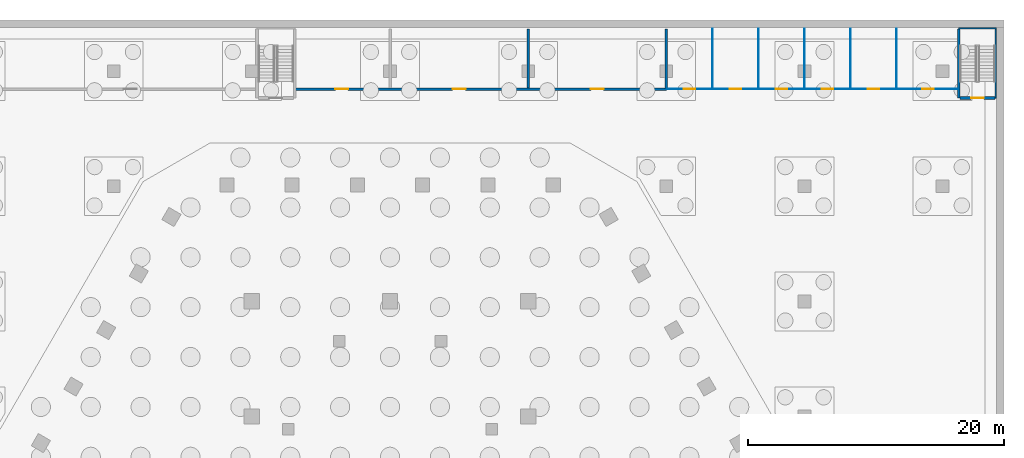
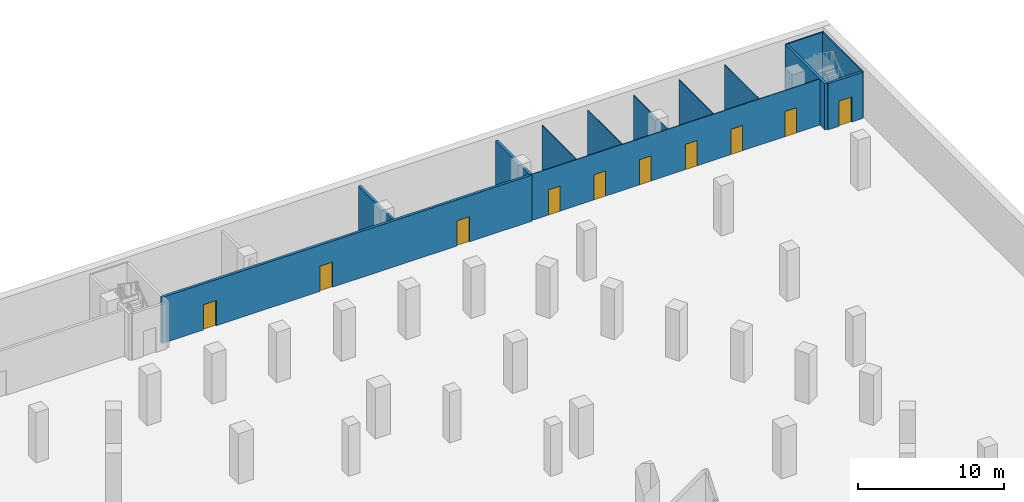
# One storey, part 11 of 21: 13 walls, 10 doors, 10 openings.
"""IFC4 building model written with IfcOpenShell, lengths in metres."""

from ifc_helpers import new_model, si_unit, direction, frame, frame_2d, origin, place, context, subcontext, project, spatial, rectangle, extrude, material, layer, layer_set, type_object, element, fill, save


model = new_model("IFC4")

# Units and contexts
model_context = context("Model", 3, precision=1e-05, world=origin(), true_north=direction((0.0, 1.0)))
body_context = subcontext(model_context, "Body", "Model", "MODEL_VIEW")
ifc_project = project(units=[si_unit("LENGTHUNIT", "METRE"), si_unit("AREAUNIT", "SQUARE_METRE"), si_unit("VOLUMEUNIT", "CUBIC_METRE"), si_unit("PLANEANGLEUNIT", "RADIAN"), si_unit("MASSUNIT", "GRAM", prefix="KILO")], contexts=[model_context])

# Site, building, storey
site_placement = place(None, origin())
site = spatial("IfcSite", under=ifc_project, at=site_placement, CompositionType="ELEMENT")
building_placement = place(site_placement, origin())
building = spatial("IfcBuilding", under=site, at=building_placement, Name="Beryl Residences", CompositionType="ELEMENT")
storey_placement = place(building_placement, frame((0.0, 0.0, -8.39990234375)))
storey = spatial("IfcBuildingStorey", under=building, at=storey_placement, Name="B2", CompositionType="ELEMENT", Elevation=-8.39990234375)

# Wall, openings, doors
ifc_material_1 = material(Name="Gypsum board partition on steel studs", Category="steel")
ifc_layer_1 = layer(ifc_material_1, 0.050048828125)
ifc_layer_set_1 = layer_set([ifc_layer_1], Name="PT1-50 partition 50 mm")
wall_type_1 = type_object("IfcWallType", Name="PT1-50 partition 50 mm", PredefinedType="PARTITIONING", material=ifc_layer_set_1)
wall_1_placement = place(storey_placement, frame((21.60009765625, 34.60009765625, 0.0), z_axis=(0.0, 0.0, 1.0), x_axis=(1.0, 0.0, 0.0)))
wall_1 = element("IfcWall", 1, at=wall_1_placement, inside=storey, type_object=wall_type_1, Name="Wall PT1-50 B2 001", PredefinedType="PARTITIONING", context=body_context, shape_type="SweptSolid", body=[
    extrude(rectangle(XDim=22.849853515625, YDim=0.050048828125, at=frame_2d((11.4248046875, 0.0))), origin(), (0.0, 0.0, 1.0), 3.849853515625),
])
opening_1_placement = place(wall_1_placement, frame((2.25, 0.0, 0.0), z_axis=(0.0, 0.0, 1.0), x_axis=(-1.0, 0.0, 0.0)))
opening_1 = element("IfcOpeningElement", 2, at=opening_1_placement, cuts=wall_1, Name="Opening B2-13", PredefinedType="OPENING", context=body_context, shape_type="SweptSolid", body=[
    extrude(rectangle(XDim=0.89990234375, YDim=2.10009765625, at=frame_2d((0.449951171875, 1.050048828125))), frame((0.0, 0.034912109375, 0.0), z_axis=(0.0, -1.0, 0.0), x_axis=(1.0, 0.0, 0.0)), (0.0, 0.0, 1.0), 0.070068359375),
])
opening_2_placement = place(wall_1_placement, frame((5.849853515625, 0.0, 0.0), z_axis=(0.0, 0.0, 1.0), x_axis=(-1.0, 0.0, 0.0)))
opening_2 = element("IfcOpeningElement", 3, at=opening_2_placement, cuts=wall_1, Name="Opening B2-14", PredefinedType="OPENING", context=body_context, shape_type="SweptSolid", body=[
    extrude(rectangle(XDim=0.89990234375, YDim=2.10009765625, at=frame_2d((0.449951171875, 1.050048828125))), frame((0.0, 0.034912109375, 0.0), z_axis=(0.0, -1.0, 0.0), x_axis=(1.0, 0.0, 0.0)), (0.0, 0.0, 1.0), 0.070068359375),
])
opening_3_placement = place(wall_1_placement, frame((9.449951171875, 0.0, 0.0), z_axis=(0.0, 0.0, 1.0), x_axis=(-1.0, 0.0, 0.0)))
opening_3 = element("IfcOpeningElement", 4, at=opening_3_placement, cuts=wall_1, Name="Opening B2-15", PredefinedType="OPENING", context=body_context, shape_type="SweptSolid", body=[
    extrude(rectangle(XDim=0.89990234375, YDim=2.10009765625, at=frame_2d((0.449951171875, 1.050048828125))), frame((0.0, 0.034912109375, 0.0), z_axis=(0.0, -1.0, 0.0), x_axis=(1.0, 0.0, 0.0)), (0.0, 0.0, 1.0), 0.070068359375),
])
opening_4_placement = place(wall_1_placement, frame((13.0498046875, 0.0, 0.0), z_axis=(0.0, 0.0, 1.0), x_axis=(-1.0, 0.0, 0.0)))
opening_4 = element("IfcOpeningElement", 5, at=opening_4_placement, cuts=wall_1, Name="Opening B2-16", PredefinedType="OPENING", context=body_context, shape_type="SweptSolid", body=[
    extrude(rectangle(XDim=0.89990234375, YDim=2.10009765625, at=frame_2d((0.449951171875, 1.050048828125))), frame((0.0, 0.034912109375, 0.0), z_axis=(0.0, -1.0, 0.0), x_axis=(1.0, 0.0, 0.0)), (0.0, 0.0, 1.0), 0.070068359375),
])
opening_5_placement = place(wall_1_placement, frame((16.64990234375, 0.0, 0.0), z_axis=(0.0, 0.0, 1.0), x_axis=(-1.0, 0.0, 0.0)))
opening_5 = element("IfcOpeningElement", 6, at=opening_5_placement, cuts=wall_1, Name="Opening B2-17", PredefinedType="OPENING", context=body_context, shape_type="SweptSolid", body=[
    extrude(rectangle(XDim=0.89990234375, YDim=2.10009765625, at=frame_2d((0.449951171875, 1.050048828125))), frame((0.0, 0.034912109375, 0.0), z_axis=(0.0, -1.0, 0.0), x_axis=(1.0, 0.0, 0.0)), (0.0, 0.0, 1.0), 0.070068359375),
])
opening_6_placement = place(wall_1_placement, frame((20.9248046875, 0.0, 0.0), z_axis=(0.0, 0.0, 1.0), x_axis=(-1.0, 0.0, 0.0)))
opening_6 = element("IfcOpeningElement", 7, at=opening_6_placement, cuts=wall_1, Name="Opening B2-18", PredefinedType="OPENING", context=body_context, shape_type="SweptSolid", body=[
    extrude(rectangle(XDim=0.89990234375, YDim=2.10009765625, at=frame_2d((0.449951171875, 1.050048828125))), frame((0.0, 0.034912109375, 0.0), z_axis=(0.0, -1.0, 0.0), x_axis=(1.0, 0.0, 0.0)), (0.0, 0.0, 1.0), 0.070068359375),
])
ifc_material_2 = material(Name="Timber door leaf", Category="wood")
door_type_1 = type_object("IfcDoorType", Name="D2 room door 900 x 2100 mm", OperationType="SINGLE_SWING_LEFT", PredefinedType="DOOR", material=ifc_material_2)
door_1_placement = place(opening_1_placement, origin())
door_1 = element("IfcDoor", 8, at=door_1_placement, inside=storey, type_object=door_type_1, Name="Door B2-13 B2 001", OperationType="SINGLE_SWING_RIGHT", OverallHeight=2.10009765625, OverallWidth=0.89990234375, PredefinedType="DOOR", context=body_context, shape_type="SweptSolid", body=[
    extrude(rectangle(XDim=0.89990234375, YDim=2.10009765625, at=frame_2d((0.449951171875, 1.050048828125))), frame((0.0, 0.02490234375, 0.0), z_axis=(0.0, -1.0, 0.0), x_axis=(1.0, 0.0, 0.0)), (0.0, 0.0, 1.0), 0.049560546875),
])
fill(opening_1, door_1)
door_2_placement = place(opening_2_placement, origin())
door_2 = element("IfcDoor", 9, at=door_2_placement, inside=storey, type_object=door_type_1, Name="Door B2-14 B2 001", OperationType="SINGLE_SWING_LEFT", OverallHeight=2.10009765625, OverallWidth=0.89990234375, PredefinedType="DOOR", context=body_context, shape_type="SweptSolid", body=[
    extrude(rectangle(XDim=0.89990234375, YDim=2.10009765625, at=frame_2d((0.449951171875, 1.050048828125))), frame((0.0, 0.02490234375, 0.0), z_axis=(0.0, -1.0, 0.0), x_axis=(1.0, 0.0, 0.0)), (0.0, 0.0, 1.0), 0.049560546875),
])
fill(opening_2, door_2)
door_3_placement = place(opening_3_placement, origin())
door_3 = element("IfcDoor", 10, at=door_3_placement, inside=storey, type_object=door_type_1, Name="Door B2-15 B2 001", OperationType="SINGLE_SWING_RIGHT", OverallHeight=2.10009765625, OverallWidth=0.89990234375, PredefinedType="DOOR", context=body_context, shape_type="SweptSolid", body=[
    extrude(rectangle(XDim=0.89990234375, YDim=2.10009765625, at=frame_2d((0.449951171875, 1.050048828125))), frame((0.0, 0.02490234375, 0.0), z_axis=(0.0, -1.0, 0.0), x_axis=(1.0, 0.0, 0.0)), (0.0, 0.0, 1.0), 0.049560546875),
])
fill(opening_3, door_3)
door_4_placement = place(opening_4_placement, origin())
door_4 = element("IfcDoor", 11, at=door_4_placement, inside=storey, type_object=door_type_1, Name="Door B2-16 B2 001", OperationType="SINGLE_SWING_LEFT", OverallHeight=2.10009765625, OverallWidth=0.89990234375, PredefinedType="DOOR", context=body_context, shape_type="SweptSolid", body=[
    extrude(rectangle(XDim=0.89990234375, YDim=2.10009765625, at=frame_2d((0.449951171875, 1.050048828125))), frame((0.0, 0.02490234375, 0.0), z_axis=(0.0, -1.0, 0.0), x_axis=(1.0, 0.0, 0.0)), (0.0, 0.0, 1.0), 0.049560546875),
])
fill(opening_4, door_4)
door_5_placement = place(opening_5_placement, origin())
door_5 = element("IfcDoor", 12, at=door_5_placement, inside=storey, type_object=door_type_1, Name="Door B2-17 B2 001", OperationType="SINGLE_SWING_RIGHT", OverallHeight=2.10009765625, OverallWidth=0.89990234375, PredefinedType="DOOR", context=body_context, shape_type="SweptSolid", body=[
    extrude(rectangle(XDim=0.89990234375, YDim=2.10009765625, at=frame_2d((0.449951171875, 1.050048828125))), frame((0.0, 0.02490234375, 0.0), z_axis=(0.0, -1.0, 0.0), x_axis=(1.0, 0.0, 0.0)), (0.0, 0.0, 1.0), 0.049560546875),
])
fill(opening_5, door_5)
door_6_placement = place(opening_6_placement, origin())
door_6 = element("IfcDoor", 13, at=door_6_placement, inside=storey, type_object=door_type_1, Name="Door B2-18 B2 001", OperationType="SINGLE_SWING_LEFT", OverallHeight=2.10009765625, OverallWidth=0.89990234375, PredefinedType="DOOR", context=body_context, shape_type="SweptSolid", body=[
    extrude(rectangle(XDim=0.89990234375, YDim=2.10009765625, at=frame_2d((0.449951171875, 1.050048828125))), frame((0.0, 0.02490234375, 0.0), z_axis=(0.0, -1.0, 0.0), x_axis=(1.0, 0.0, 0.0)), (0.0, 0.0, 1.0), 0.049560546875),
])
fill(opening_6, door_6)

# Walls
for number, where, z_axis, x_axis, name in (
    (14, (25.199951171875, 34.625, 0.0), (0.0, 0.0, 1.0), (0.0, 1.0, 0.0), "Wall PT1-50 B2 002"),
    (15, (28.800048828125, 34.625, 0.0), (0.0, 0.0, 1.0), (0.0, 1.0, 0.0), "Wall PT1-50 B2 003"),
    (16, (32.39990234375, 34.625, 0.0), (0.0, 0.0, 1.0), (0.0, 1.0, 0.0), "Wall PT1-50 B2 004"),
    (17, (36.0, 34.625, 0.0), (0.0, 0.0, 1.0), (0.0, 1.0, 0.0), "Wall PT1-50 B2 005"),
    (18, (39.60009765625, 34.625, 0.0), (0.0, 0.0, 1.0), (0.0, 1.0, 0.0), "Wall PT1-50 B2 006"),
):
    element("IfcWall", number, at=place(storey_placement, frame(where, z_axis=z_axis, x_axis=x_axis)), inside=storey, type_object=wall_type_1, Name=name, PredefinedType="PARTITIONING", context=body_context, shape_type="SweptSolid", body=[
        extrude(rectangle(XDim=4.675048828125, YDim=0.050048828125, at=frame_2d((2.33740234375, 0.0))), origin(), (0.0, 0.0, 1.0), 3.849853515625),
    ])

# Wall, opening, door
ifc_material_3 = material(Name="Concrete C40/50", Category="concrete")
ifc_layer_2 = layer(ifc_material_3, 0.199951171875)
ifc_layer_set_2 = layer_set([ifc_layer_2], Name="PT5 stair enclosure wall 200 mm reinforced concrete C40/50")
wall_type_2 = type_object("IfcWallType", Name="PT5 stair enclosure wall 200 mm reinforced concrete C40/50", PredefinedType="SOLIDWALL", material=ifc_layer_set_2)
wall_2_placement = place(storey_placement, frame((44.550048828125, 33.89990234375, 0.0), z_axis=(0.0, 0.0, 1.0), x_axis=(1.0, 0.0, 0.0)))
wall_2 = element("IfcWall", 19, at=wall_2_placement, inside=storey, type_object=wall_type_2, Name="Wall PT5 B2 006", PredefinedType="SOLIDWALL", context=body_context, shape_type="SweptSolid", body=[
    extrude(rectangle(XDim=2.75, YDim=0.199951171875, at=frame_2d((1.375, 0.0))), origin(), (0.0, 0.0, 1.0), 3.849853515625),
])
opening_7_placement = place(wall_2_placement, frame((0.875, 0.0, 0.0)))
opening_7 = element("IfcOpeningElement", 20, at=opening_7_placement, cuts=wall_2, Name="Opening B2-03", PredefinedType="OPENING", context=body_context, shape_type="SweptSolid", body=[
    extrude(rectangle(XDim=1.0, YDim=2.10009765625, at=frame_2d((0.5, 1.050048828125))), frame((0.0, 0.10986328125, 0.0), z_axis=(0.0, -1.0, 0.0), x_axis=(1.0, 0.0, 0.0)), (0.0, 0.0, 1.0), 0.219970703125),
])
ifc_material_4 = material(Name="Steel door leaf in steel frame", Category="steel")
door_type_2 = type_object("IfcDoorType", Name="D15 stair door 1000 x 2100 mm", OperationType="SINGLE_SWING_LEFT", PredefinedType="DOOR", material=ifc_material_4)
door_7_placement = place(opening_7_placement, origin())
door_7 = element("IfcDoor", 21, at=door_7_placement, inside=storey, type_object=door_type_2, Name="Door B2-03 B2 001", OperationType="SINGLE_SWING_LEFT", OverallHeight=2.10009765625, OverallWidth=1.0, PredefinedType="DOOR", context=body_context, shape_type="SweptSolid", body=[
    extrude(rectangle(XDim=1.0, YDim=2.10009765625, at=frame_2d((0.5, 1.050048828125))), frame((0.0, 0.02490234375, 0.0), z_axis=(0.0, -1.0, 0.0), x_axis=(1.0, 0.0, 0.0)), (0.0, 0.0, 1.0), 0.050048828125),
])
fill(opening_7, door_7)

# Walls
wall_3_placement = place(storey_placement, frame((44.449951171875, 33.89990234375, 0.0), z_axis=(0.0, 0.0, 1.0), x_axis=(0.0, 1.0, 0.0)))
element("IfcWall", 22, at=wall_3_placement, inside=storey, type_object=wall_type_2, Name="Wall PT5 B2 015", PredefinedType="SOLIDWALL", context=body_context, shape_type="SweptSolid", body=[
    extrude(rectangle(XDim=5.400146484375, YDim=0.199951171875, at=frame_2d((2.7001953125, 0.0))), origin(), (0.0, 0.0, 1.0), 3.849853515625),
])
ifc_material_5 = material(Name="Concrete C40/50", Category="concrete")
ifc_layer_3 = layer(ifc_material_5, 0.10009765625)
ifc_layer_set_3 = layer_set([ifc_layer_3], Name="PT5-100 stair enclosure wall 100 mm")
wall_type_3 = type_object("IfcWallType", Name="PT5-100 stair enclosure wall 100 mm", PredefinedType="SOLIDWALL", material=ifc_layer_set_3)
wall_4_placement = place(storey_placement, frame((47.35009765625, 33.89990234375, 0.0), z_axis=(0.0, 0.0, 1.0), x_axis=(0.0, 1.0, 0.0)))
element("IfcWall", 23, at=wall_4_placement, inside=storey, type_object=wall_type_3, Name="Wall PT5-100 B2 004", PredefinedType="SOLIDWALL", context=body_context, shape_type="SweptSolid", body=[
    extrude(rectangle(XDim=5.5, YDim=0.10009765625, at=frame_2d((2.75, 0.0))), origin(), (0.0, 0.0, 1.0), 3.849853515625),
])
wall_5_placement = place(storey_placement, frame((44.449951171875, 39.35009765625, 0.0), z_axis=(0.0, 0.0, 1.0), x_axis=(1.0, 0.0, 0.0)))
element("IfcWall", 24, at=wall_5_placement, inside=storey, type_object=wall_type_3, Name="Wall PT5-100 B2 005", PredefinedType="SOLIDWALL", context=body_context, shape_type="SweptSolid", body=[
    extrude(rectangle(XDim=2.949951171875, YDim=0.10009765625, at=frame_2d((1.47509765625, 0.0))), origin(), (0.0, 0.0, 1.0), 3.849853515625),
])

# Wall, openings, doors
ifc_material_6 = material(Name="Concrete C40/50", Category="concrete")
ifc_layer_4 = layer(ifc_material_6, 0.199951171875)
ifc_layer_set_4 = layer_set([ifc_layer_4], Name="PT9-200 plant room wall 200 mm")
wall_type_4 = type_object("IfcWallType", Name="PT9-200 plant room wall 200 mm", PredefinedType="SOLIDWALL", material=ifc_layer_set_4)
wall_6_placement = place(storey_placement, frame((-7.550048828125, 34.60009765625, 0.0), z_axis=(0.0, 0.0, 1.0), x_axis=(1.0, 0.0, 0.0)))
wall_6 = element("IfcWall", 25, at=wall_6_placement, inside=storey, type_object=wall_type_4, Name="Wall PT9-200 B2 002", PredefinedType="SOLIDWALL", context=body_context, shape_type="SweptSolid", body=[
    extrude(rectangle(XDim=29.150146484375, YDim=0.199951171875, at=frame_2d((14.5751953125, 0.0))), origin(), (0.0, 0.0, 1.0), 3.849853515625),
])
opening_8_placement = place(wall_6_placement, frame((4.27490234375, 0.0, 0.0), z_axis=(0.0, 0.0, 1.0), x_axis=(-1.0, 0.0, 0.0)))
opening_8 = element("IfcOpeningElement", 26, at=opening_8_placement, cuts=wall_6, Name="Opening B2-10", PredefinedType="OPENING", context=body_context, shape_type="SweptSolid", body=[
    extrude(rectangle(XDim=1.0, YDim=2.10009765625, at=frame_2d((0.5, 1.050048828125))), frame((0.0, 0.10986328125, 0.0), z_axis=(0.0, -1.0, 0.0), x_axis=(1.0, 0.0, 0.0)), (0.0, 0.0, 1.0), 0.219970703125),
])
opening_9_placement = place(wall_6_placement, frame((13.449951171875, 0.0, 0.0), z_axis=(0.0, 0.0, 1.0), x_axis=(-1.0, 0.0, 0.0)))
opening_9 = element("IfcOpeningElement", 27, at=opening_9_placement, cuts=wall_6, Name="Opening B2-11", PredefinedType="OPENING", context=body_context, shape_type="SweptSolid", body=[
    extrude(rectangle(XDim=1.0, YDim=2.10009765625, at=frame_2d((0.5, 1.050048828125))), frame((0.0, 0.10986328125, 0.0), z_axis=(0.0, -1.0, 0.0), x_axis=(1.0, 0.0, 0.0)), (0.0, 0.0, 1.0), 0.219970703125),
])
opening_10_placement = place(wall_6_placement, frame((24.25, 0.0, 0.0), z_axis=(0.0, 0.0, 1.0), x_axis=(-1.0, 0.0, 0.0)))
opening_10 = element("IfcOpeningElement", 28, at=opening_10_placement, cuts=wall_6, Name="Opening B2-12", PredefinedType="OPENING", context=body_context, shape_type="SweptSolid", body=[
    extrude(rectangle(XDim=1.0, YDim=2.10009765625, at=frame_2d((0.5, 1.050048828125))), frame((0.0, 0.10986328125, 0.0), z_axis=(0.0, -1.0, 0.0), x_axis=(1.0, 0.0, 0.0)), (0.0, 0.0, 1.0), 0.219970703125),
])
ifc_material_7 = material(Name="Steel door leaf in steel frame", Category="steel")
door_type_3 = type_object("IfcDoorType", Name="D16 plant room door 1000 x 2100 mm", OperationType="SINGLE_SWING_LEFT", PredefinedType="DOOR", material=ifc_material_7)
door_8_placement = place(opening_8_placement, origin())
door_8 = element("IfcDoor", 29, at=door_8_placement, inside=storey, type_object=door_type_3, Name="Door B2-10 B2 001", OperationType="SINGLE_SWING_LEFT", OverallHeight=2.10009765625, OverallWidth=1.0, PredefinedType="DOOR", context=body_context, shape_type="SweptSolid", body=[
    extrude(rectangle(XDim=1.0, YDim=2.10009765625, at=frame_2d((0.5, 1.050048828125))), frame((0.0, 0.02490234375, 0.0), z_axis=(0.0, -1.0, 0.0), x_axis=(1.0, 0.0, 0.0)), (0.0, 0.0, 1.0), 0.050048828125),
])
fill(opening_8, door_8)
door_9_placement = place(opening_9_placement, origin())
door_9 = element("IfcDoor", 30, at=door_9_placement, inside=storey, type_object=door_type_3, Name="Door B2-11 B2 001", OperationType="SINGLE_SWING_RIGHT", OverallHeight=2.10009765625, OverallWidth=1.0, PredefinedType="DOOR", context=body_context, shape_type="SweptSolid", body=[
    extrude(rectangle(XDim=1.0, YDim=2.10009765625, at=frame_2d((0.5, 1.050048828125))), frame((0.0, 0.02490234375, 0.0), z_axis=(0.0, -1.0, 0.0), x_axis=(1.0, 0.0, 0.0)), (0.0, 0.0, 1.0), 0.050048828125),
])
fill(opening_9, door_9)
door_10_placement = place(opening_10_placement, origin())
door_10 = element("IfcDoor", 31, at=door_10_placement, inside=storey, type_object=door_type_3, Name="Door B2-12 B2 001", OperationType="SINGLE_SWING_LEFT", OverallHeight=2.10009765625, OverallWidth=1.0, PredefinedType="DOOR", context=body_context, shape_type="SweptSolid", body=[
    extrude(rectangle(XDim=1.0, YDim=2.10009765625, at=frame_2d((0.5, 1.050048828125))), frame((0.0, 0.02490234375, 0.0), z_axis=(0.0, -1.0, 0.0), x_axis=(1.0, 0.0, 0.0)), (0.0, 0.0, 1.0), 0.050048828125),
])
fill(opening_10, door_10)

# Walls
wall_7_placement = place(storey_placement, frame((10.800048828125, 34.699951171875, 0.0), z_axis=(0.0, 0.0, 1.0), x_axis=(0.0, 1.0, 0.0)))
element("IfcWall", 32, at=wall_7_placement, inside=storey, type_object=wall_type_4, Name="Wall PT9-200 B2 005", PredefinedType="SOLIDWALL", context=body_context, shape_type="SweptSolid", body=[
    extrude(rectangle(XDim=4.60009765625, YDim=0.199951171875, at=frame_2d((2.300048828125, 0.0))), origin(), (0.0, 0.0, 1.0), 3.849853515625),
])
wall_8_placement = place(storey_placement, frame((21.60009765625, 34.625, 0.0), z_axis=(0.0, 0.0, 1.0), x_axis=(0.0, 1.0, 0.0)))
element("IfcWall", 33, at=wall_8_placement, inside=storey, type_object=wall_type_4, Name="Wall PT9-200 B2 006", PredefinedType="SOLIDWALL", context=body_context, shape_type="SweptSolid", body=[
    extrude(rectangle(XDim=4.675048828125, YDim=0.199951171875, at=frame_2d((2.33740234375, 0.0))), origin(), (0.0, 0.0, 1.0), 3.849853515625),
])

save(model, "model.ifc")
